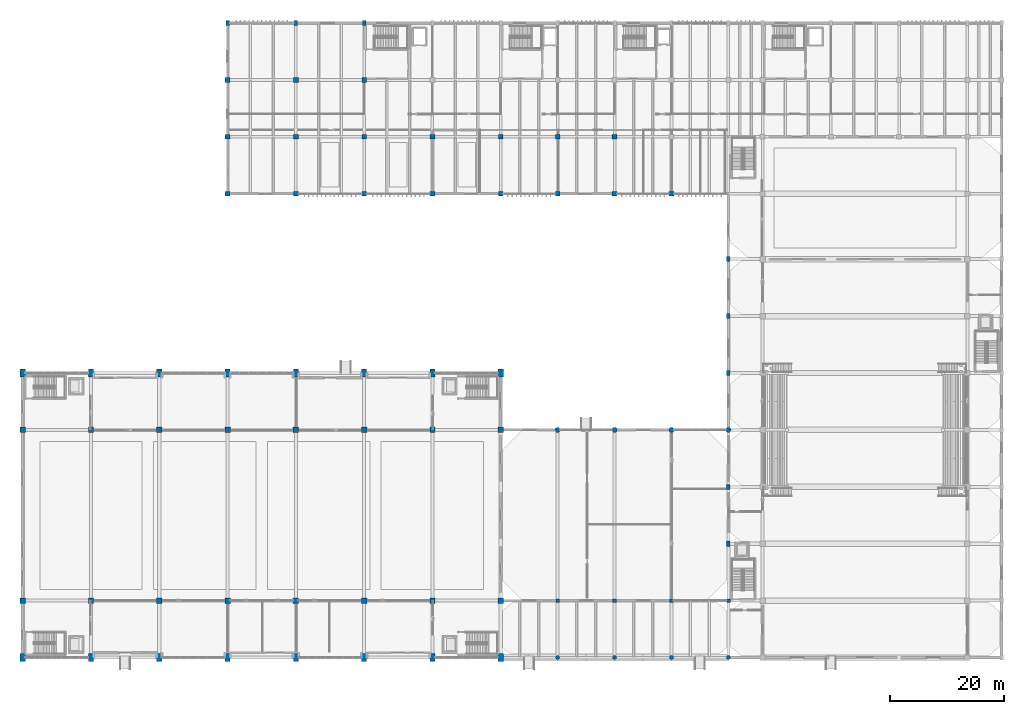
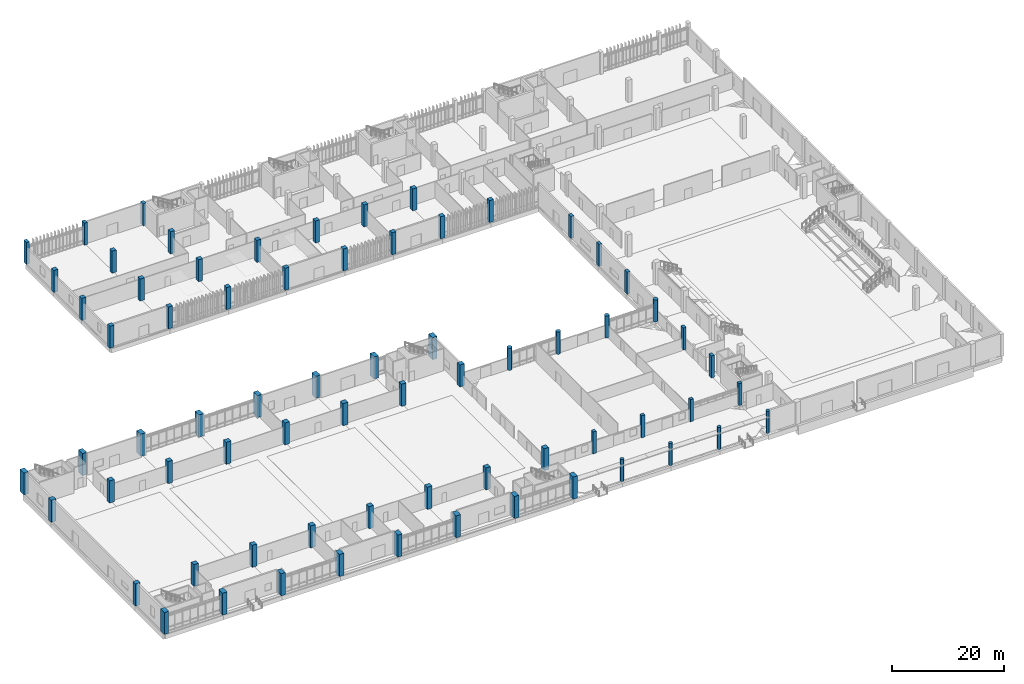
# One storey, part 1 of 87: 70 columns.
"""IFC4 building model written with IfcOpenShell, lengths in metres."""

from ifc_helpers import new_model, si_unit, direction, frame, origin, origin_2d, place, context, subcontext, project, spatial, rectangle, circle, extrude, material, material_profile, profile_set, type_object, element, save


model = new_model("IFC4")

# Units and contexts
model_context = context("Model", 3, precision=1e-05, world=origin(), true_north=direction((0.0, 1.0)))
body_context = subcontext(model_context, "Body", "Model", "MODEL_VIEW")
ifc_project = project(units=[si_unit("LENGTHUNIT", "METRE"), si_unit("AREAUNIT", "SQUARE_METRE"), si_unit("VOLUMEUNIT", "CUBIC_METRE"), si_unit("PLANEANGLEUNIT", "RADIAN"), si_unit("MASSUNIT", "GRAM", prefix="KILO")], contexts=[model_context])

# Site, building, storey
site_placement = place(None, origin())
site = spatial("IfcSite", under=ifc_project, at=site_placement, CompositionType="ELEMENT")
building_placement = place(site_placement, origin())
building = spatial("IfcBuilding", under=site, at=building_placement, Name="Mersad Railyard Sports Hall", CompositionType="ELEMENT")
storey_placement = place(building_placement, origin())
storey = spatial("IfcBuildingStorey", under=building, at=storey_placement, Name="L00", CompositionType="ELEMENT", Elevation=0.0)

# Columns
ifc_material_1 = material(Name="Concrete C50/60", Category="concrete")
ifc_material_profile_1 = material_profile(ifc_material_1, rectangle(XDim=0.949951171875, YDim=0.949951171875, at=origin_2d()), Name="RC 950x950")
ifc_profile_set_1 = profile_set([ifc_material_profile_1], Name="Concrete C50/60")
column_type_1 = type_object("IfcColumnType", Name="STR-COL-C01", PredefinedType="COLUMN", material=ifc_profile_set_1)
for number, where, z_axis, x_axis, name in (
    (1, (7.0, 13.5, 0.0), (0.0, 0.0, 1.0), (1.0, 0.0, 0.0), "Column C01 L00 (7.0,13.5)"),
    (2, (7.0, 43.5, 0.0), (0.0, 0.0, 1.0), (1.0, 0.0, 0.0), "Column C01 L00 (7.0,43.5)"),
    (3, (19.0, 13.5, 0.0), (0.0, 0.0, 1.0), (1.0, 0.0, 0.0), "Column C01 L00 (19.0,13.5)"),
    (4, (19.0, 43.5, 0.0), (0.0, 0.0, 1.0), (1.0, 0.0, 0.0), "Column C01 L00 (19.0,43.5)"),
    (5, (31.0, 13.5, 0.0), (0.0, 0.0, 1.0), (1.0, 0.0, 0.0), "Column C01 L00 (31.0,13.5)"),
    (6, (31.0, 43.5, 0.0), (0.0, 0.0, 1.0), (1.0, 0.0, 0.0), "Column C01 L00 (31.0,43.5)"),
    (7, (43.0, 13.5, 0.0), (0.0, 0.0, 1.0), (1.0, 0.0, 0.0), "Column C01 L00 (43.0,13.5)"),
    (8, (43.0, 43.5, 0.0), (0.0, 0.0, 1.0), (1.0, 0.0, 0.0), "Column C01 L00 (43.0,43.5)"),
    (9, (55.0, 13.5, 0.0), (0.0, 0.0, 1.0), (1.0, 0.0, 0.0), "Column C01 L00 (55.0,13.5)"),
    (10, (55.0, 43.5, 0.0), (0.0, 0.0, 1.0), (1.0, 0.0, 0.0), "Column C01 L00 (55.0,43.5)"),
    (11, (67.0, 13.5, 0.0), (0.0, 0.0, 1.0), (1.0, 0.0, 0.0), "Column C01 L00 (67.0,13.5)"),
    (12, (67.0, 43.5, 0.0), (0.0, 0.0, 1.0), (1.0, 0.0, 0.0), "Column C01 L00 (67.0,43.5)"),
    (13, (79.0, 13.5, 0.0), (0.0, 0.0, 1.0), (1.0, 0.0, 0.0), "Column C01 L00 (79.0,13.5)"),
    (14, (79.0, 43.5, 0.0), (0.0, 0.0, 1.0), (1.0, 0.0, 0.0), "Column C01 L00 (79.0,43.5)"),
    (15, (91.0, 13.5, 0.0), (0.0, 0.0, 1.0), (1.0, 0.0, 0.0), "Column C01 L00 (91.0,13.5)"),
    (16, (91.0, 43.5, 0.0), (0.0, 0.0, 1.0), (1.0, 0.0, 0.0), "Column C01 L00 (91.0,43.5)"),
):
    element("IfcColumn", number, at=place(storey_placement, frame(where, z_axis=z_axis, x_axis=x_axis)), inside=storey, type_object=column_type_1, Name=name, PredefinedType="COLUMN", context=body_context, shape_type="SweptSolid", body=[
        extrude(rectangle(XDim=0.949951171875, YDim=0.949951171875, at=origin_2d()), origin(), (0.0, 0.0, 1.0), 4.800048828125),
    ])
ifc_material_profile_2 = material_profile(ifc_material_1, rectangle(XDim=0.85009765625, YDim=0.85009765625, at=origin_2d()), Name="RC 850x850")
ifc_profile_set_2 = profile_set([ifc_material_profile_2], Name="Concrete C50/60")
column_type_2 = type_object("IfcColumnType", Name="STR-COL-C02", PredefinedType="COLUMN", material=ifc_profile_set_2)
for number, where, z_axis, x_axis, name in (
    (17, (43.0, 85.0, 0.0), (0.0, 0.0, 1.0), (1.0, 0.0, 0.0), "Column C02 L00 (43.0,85.0)"),
    (18, (43.0, 95.0, 0.0), (0.0, 0.0, 1.0), (1.0, 0.0, 0.0), "Column C02 L00 (43.0,95.0)"),
    (19, (43.0, 105.0, 0.0), (0.0, 0.0, 1.0), (1.0, 0.0, 0.0), "Column C02 L00 (43.0,105.0)"),
    (20, (55.0, 85.0, 0.0), (0.0, 0.0, 1.0), (1.0, 0.0, 0.0), "Column C02 L00 (55.0,85.0)"),
    (21, (55.0, 95.0, 0.0), (0.0, 0.0, 1.0), (1.0, 0.0, 0.0), "Column C02 L00 (55.0,95.0)"),
    (22, (55.0, 105.0, 0.0), (0.0, 0.0, 1.0), (1.0, 0.0, 0.0), "Column C02 L00 (55.0,105.0)"),
    (23, (67.0, 85.0, 0.0), (0.0, 0.0, 1.0), (1.0, 0.0, 0.0), "Column C02 L00 (67.0,85.0)"),
    (24, (67.0, 95.0, 0.0), (0.0, 0.0, 1.0), (1.0, 0.0, 0.0), "Column C02 L00 (67.0,95.0)"),
    (25, (67.0, 105.0, 0.0), (0.0, 0.0, 1.0), (1.0, 0.0, 0.0), "Column C02 L00 (67.0,105.0)"),
    (26, (79.0, 85.0, 0.0), (0.0, 0.0, 1.0), (1.0, 0.0, 0.0), "Column C02 L00 (79.0,85.0)"),
    (27, (79.0, 95.0, 0.0), (0.0, 0.0, 1.0), (1.0, 0.0, 0.0), "Column C02 L00 (79.0,95.0)"),
    (28, (91.0, 85.0, 0.0), (0.0, 0.0, 1.0), (1.0, 0.0, 0.0), "Column C02 L00 (91.0,85.0)"),
    (29, (91.0, 95.0, 0.0), (0.0, 0.0, 1.0), (1.0, 0.0, 0.0), "Column C02 L00 (91.0,95.0)"),
    (30, (101.0, 85.0, 0.0), (0.0, 0.0, 1.0), (1.0, 0.0, 0.0), "Column C02 L00 (101.0,85.0)"),
    (31, (101.0, 95.0, 0.0), (0.0, 0.0, 1.0), (1.0, 0.0, 0.0), "Column C02 L00 (101.0,95.0)"),
    (32, (111.0, 85.0, 0.0), (0.0, 0.0, 1.0), (1.0, 0.0, 0.0), "Column C02 L00 (111.0,85.0)"),
    (33, (111.0, 95.0, 0.0), (0.0, 0.0, 1.0), (1.0, 0.0, 0.0), "Column C02 L00 (111.0,95.0)"),
    (34, (121.0, 85.0, 0.0), (0.0, 0.0, 1.0), (1.0, 0.0, 0.0), "Column C02 L00 (121.0,85.0)"),
):
    element("IfcColumn", number, at=place(storey_placement, frame(where, z_axis=z_axis, x_axis=x_axis)), inside=storey, type_object=column_type_2, Name=name, PredefinedType="COLUMN", context=body_context, shape_type="SweptSolid", body=[
        extrude(rectangle(XDim=0.85009765625, YDim=0.85009765625, at=origin_2d()), origin(), (0.0, 0.0, 1.0), 4.800048828125),
    ])
ifc_material_2 = material(Name="Concrete C40/50", Category="concrete")
ifc_material_profile_3 = material_profile(ifc_material_2, rectangle(XDim=0.64990234375, YDim=0.64990234375, at=origin_2d()), Name="RC 650x650")
ifc_profile_set_3 = profile_set([ifc_material_profile_3], Name="Concrete C40/50")
column_type_3 = type_object("IfcColumnType", Name="STR-COL-C04", PredefinedType="COLUMN", material=ifc_profile_set_3)
for number, where, z_axis, x_axis, name in (
    (35, (101.0, 13.5, 0.0), (0.0, 0.0, 1.0), (1.0, 0.0, 0.0), "Column C04 L00 (101.0,13.5)"),
    (36, (111.0, 13.5, 0.0), (0.0, 0.0, 1.0), (1.0, 0.0, 0.0), "Column C04 L00 (111.0,13.5)"),
    (37, (121.0, 13.5, 0.0), (0.0, 0.0, 1.0), (1.0, 0.0, 0.0), "Column C04 L00 (121.0,13.5)"),
    (38, (131.0, 13.5, 0.0), (0.0, 0.0, 1.0), (1.0, 0.0, 0.0), "Column C04 L00 (131.0,13.5)"),
):
    element("IfcColumn", number, at=place(storey_placement, frame(where, z_axis=z_axis, x_axis=x_axis)), inside=storey, type_object=column_type_3, Name=name, PredefinedType="COLUMN", context=body_context, shape_type="SweptSolid", body=[
        extrude(rectangle(XDim=0.64990234375, YDim=0.64990234375, at=origin_2d()), origin(), (0.0, 0.0, 1.0), 4.800048828125),
    ])
ifc_material_profile_4 = material_profile(ifc_material_1, rectangle(XDim=0.60009765625, YDim=0.89990234375, at=origin_2d()), Name="RC 600x900")
ifc_profile_set_4 = profile_set([ifc_material_profile_4], Name="Concrete C50/60")
column_type_4 = type_object("IfcColumnType", Name="STR-COL-C07", PredefinedType="COLUMN", material=ifc_profile_set_4)
for number, where, z_axis, x_axis, name in (
    (39, (131.0, 23.5, 0.0), (0.0, 0.0, 1.0), (1.0, 0.0, 0.0), "Column C07 L00 (131.0,23.5)"),
    (40, (131.0, 33.5, 0.0), (0.0, 0.0, 1.0), (1.0, 0.0, 0.0), "Column C07 L00 (131.0,33.5)"),
    (41, (131.0, 53.5, 0.0), (0.0, 0.0, 1.0), (1.0, 0.0, 0.0), "Column C07 L00 (131.0,53.5)"),
    (42, (131.0, 63.5, 0.0), (0.0, 0.0, 1.0), (1.0, 0.0, 0.0), "Column C07 L00 (131.0,63.5)"),
    (43, (131.0, 73.5, 0.0), (0.0, 0.0, 1.0), (1.0, 0.0, 0.0), "Column C07 L00 (131.0,73.5)"),
    (44, (43.0, 115.0, 0.0), (0.0, 0.0, 1.0), (1.0, 0.0, 0.0), "Column C07 L00 (43.0,115.0)"),
    (45, (55.0, 115.0, 0.0), (0.0, 0.0, 1.0), (1.0, 0.0, 0.0), "Column C07 L00 (55.0,115.0)"),
    (46, (67.0, 115.0, 0.0), (0.0, 0.0, 1.0), (1.0, 0.0, 0.0), "Column C07 L00 (67.0,115.0)"),
):
    element("IfcColumn", number, at=place(storey_placement, frame(where, z_axis=z_axis, x_axis=x_axis)), inside=storey, type_object=column_type_4, Name=name, PredefinedType="COLUMN", context=body_context, shape_type="SweptSolid", body=[
        extrude(rectangle(XDim=0.60009765625, YDim=0.89990234375, at=origin_2d()), origin(), (0.0, 0.0, 1.0), 4.800048828125),
    ])
ifc_material_3 = material(Name="Architectural concrete C40/50", Category="concrete")
ifc_material_profile_5 = material_profile(ifc_material_3, circle(Radius=0.35009765625, at=origin_2d()), Name="RC D700")
ifc_profile_set_5 = profile_set([ifc_material_profile_5], Name="Architectural concrete C40/50")
column_type_5 = type_object("IfcColumnType", Name="STR-COL-C08", PredefinedType="COLUMN", material=ifc_profile_set_5)
for number, where, z_axis, x_axis, name in (
    (47, (101.0, 3.5, 0.0), (0.0, 0.0, 1.0), (1.0, 0.0, 0.0), "Column C08 L00 (101.0,3.5)"),
    (48, (111.0, 3.5, 0.0), (0.0, 0.0, 1.0), (1.0, 0.0, 0.0), "Column C08 L00 (111.0,3.5)"),
    (49, (121.0, 3.5, 0.0), (0.0, 0.0, 1.0), (1.0, 0.0, 0.0), "Column C08 L00 (121.0,3.5)"),
    (50, (131.0, 3.5, 0.0), (0.0, 0.0, 1.0), (1.0, 0.0, 0.0), "Column C08 L00 (131.0,3.5)"),
):
    element("IfcColumn", number, at=place(storey_placement, frame(where, z_axis=z_axis, x_axis=x_axis)), inside=storey, type_object=column_type_5, Name=name, PredefinedType="COLUMN", context=body_context, shape_type="SweptSolid", body=[
        extrude(circle(Radius=0.35009765625, at=origin_2d()), origin(), (0.0, 0.0, 1.0), 4.800048828125),
    ])
ifc_material_4 = material(Name="Architectural concrete C50/60", Category="concrete")
ifc_material_profile_6 = material_profile(ifc_material_4, circle(Radius=0.449951171875, at=origin_2d()), Name="RC D900")
ifc_profile_set_6 = profile_set([ifc_material_profile_6], Name="Architectural concrete C50/60")
column_type_6 = type_object("IfcColumnType", Name="STR-COL-C09", PredefinedType="COLUMN", material=ifc_profile_set_6)
for number, where, z_axis, x_axis, name in (
    (51, (101.0, 43.5, 0.0), (0.0, 0.0, 1.0), (1.0, 0.0, 0.0), "Column C09 L00 (101.0,43.5)"),
    (52, (111.0, 43.5, 0.0), (0.0, 0.0, 1.0), (1.0, 0.0, 0.0), "Column C09 L00 (111.0,43.5)"),
    (53, (121.0, 43.5, 0.0), (0.0, 0.0, 1.0), (1.0, 0.0, 0.0), "Column C09 L00 (121.0,43.5)"),
    (54, (131.0, 43.5, 0.0), (0.0, 0.0, 1.0), (1.0, 0.0, 0.0), "Column C09 L00 (131.0,43.5)"),
):
    element("IfcColumn", number, at=place(storey_placement, frame(where, z_axis=z_axis, x_axis=x_axis)), inside=storey, type_object=column_type_6, Name=name, PredefinedType="COLUMN", context=body_context, shape_type="SweptSolid", body=[
        extrude(circle(Radius=0.449951171875, at=origin_2d()), origin(), (0.0, 0.0, 1.0), 4.800048828125),
    ])
ifc_material_profile_7 = material_profile(ifc_material_4, rectangle(XDim=0.89990234375, YDim=1.39990234375, at=origin_2d()), Name="RC 900x1400")
ifc_profile_set_7 = profile_set([ifc_material_profile_7], Name="Architectural concrete C50/60")
column_type_7 = type_object("IfcColumnType", Name="STR-PIL-P01", PredefinedType="PILASTER", material=ifc_profile_set_7)
for number, where, z_axis, x_axis, name in (
    (55, (7.0, 3.5, 0.0), (0.0, 0.0, 1.0), (1.0, 0.0, 0.0), "Column AP01 L00 (7.0,3.5)"),
    (56, (7.0, 53.5, 0.0), (0.0, 0.0, 1.0), (1.0, 0.0, 0.0), "Column AP01 L00 (7.0,53.5)"),
    (57, (19.0, 3.5, 0.0), (0.0, 0.0, 1.0), (1.0, 0.0, 0.0), "Column AP01 L00 (19.0,3.5)"),
    (58, (19.0, 53.5, 0.0), (0.0, 0.0, 1.0), (1.0, 0.0, 0.0), "Column AP01 L00 (19.0,53.5)"),
    (59, (31.0, 3.5, 0.0), (0.0, 0.0, 1.0), (1.0, 0.0, 0.0), "Column AP01 L00 (31.0,3.5)"),
    (60, (31.0, 53.5, 0.0), (0.0, 0.0, 1.0), (1.0, 0.0, 0.0), "Column AP01 L00 (31.0,53.5)"),
    (61, (43.0, 3.5, 0.0), (0.0, 0.0, 1.0), (1.0, 0.0, 0.0), "Column AP01 L00 (43.0,3.5)"),
    (62, (43.0, 53.5, 0.0), (0.0, 0.0, 1.0), (1.0, 0.0, 0.0), "Column AP01 L00 (43.0,53.5)"),
    (63, (55.0, 3.5, 0.0), (0.0, 0.0, 1.0), (1.0, 0.0, 0.0), "Column AP01 L00 (55.0,3.5)"),
    (64, (55.0, 53.5, 0.0), (0.0, 0.0, 1.0), (1.0, 0.0, 0.0), "Column AP01 L00 (55.0,53.5)"),
    (65, (67.0, 3.5, 0.0), (0.0, 0.0, 1.0), (1.0, 0.0, 0.0), "Column AP01 L00 (67.0,3.5)"),
    (66, (67.0, 53.5, 0.0), (0.0, 0.0, 1.0), (1.0, 0.0, 0.0), "Column AP01 L00 (67.0,53.5)"),
    (67, (79.0, 3.5, 0.0), (0.0, 0.0, 1.0), (1.0, 0.0, 0.0), "Column AP01 L00 (79.0,3.5)"),
    (68, (79.0, 53.5, 0.0), (0.0, 0.0, 1.0), (1.0, 0.0, 0.0), "Column AP01 L00 (79.0,53.5)"),
    (69, (91.0, 3.5, 0.0), (0.0, 0.0, 1.0), (1.0, 0.0, 0.0), "Column AP01 L00 (91.0,3.5)"),
    (70, (91.0, 53.5, 0.0), (0.0, 0.0, 1.0), (1.0, 0.0, 0.0), "Column AP01 L00 (91.0,53.5)"),
):
    element("IfcColumn", number, at=place(storey_placement, frame(where, z_axis=z_axis, x_axis=x_axis)), inside=storey, type_object=column_type_7, Name=name, PredefinedType="PILASTER", context=body_context, shape_type="SweptSolid", body=[
        extrude(rectangle(XDim=0.89990234375, YDim=1.39990234375, at=origin_2d()), origin(), (0.0, 0.0, 1.0), 4.800048828125),
    ])

save(model, "model.ifc")
